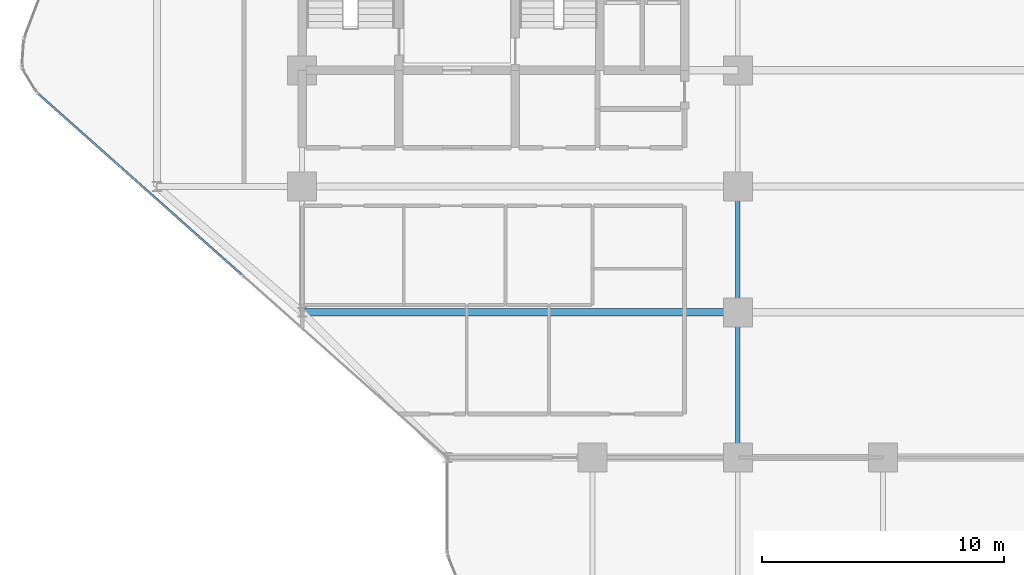
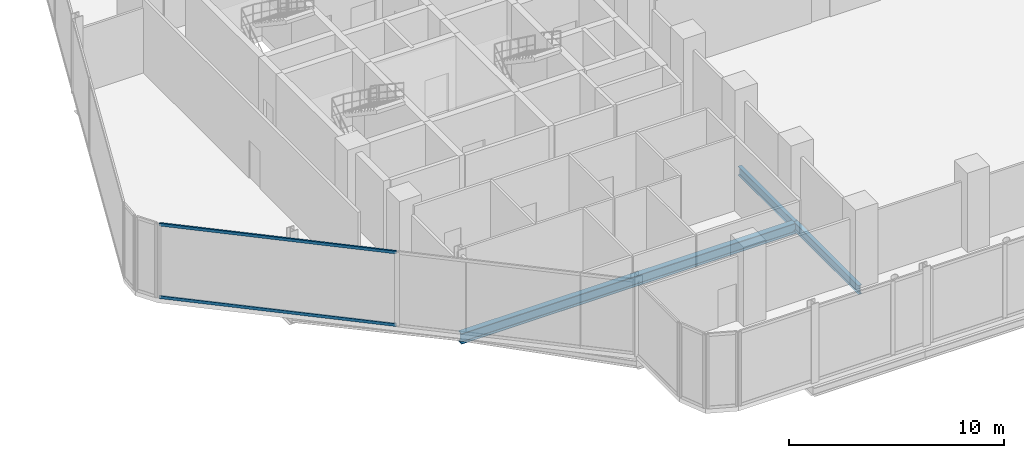
# One storey, part 5 of 30: 3 beams, 2 members, 1 element without a shape of its own.
"""IFC4 building model written with IfcOpenShell, lengths in metres."""

import ifcopenshell
import ifcopenshell.guid

model = None  # the IFC model being written
_history = None  # IfcOwnerHistory: only IFC2X3 demands one
_inside = {}  # id of a spatial element -> (the spatial element, [elements in it])
_under = {}  # id of a project, library or spatial element -> (it, [spatial elements below it])
_declared = {}  # id of a project -> (the project, [libraries it declares])
_typed = {}  # id of a type object -> (the type object, [elements of that type])
_made_of = {}  # id of a material, layer set ... -> (it, [elements and type objects made of it])


def new_model(schema):
    """Start an empty IFC model of exactly this schema.

    Asked for "IFC4X3", IfcOpenShell would pick the latest addendum, in which some entities
    have other attributes; the version numbers below select the first issue.
    IFC2X3 requires an IfcOwnerHistory on every rooted entity: one is made here for all.
    """
    global model, _history
    if schema == "IFC4X3":
        model = ifcopenshell.file(schema_version=(4, 3, 0, 0))
    else:
        model = ifcopenshell.file(schema=schema)
    _inside.clear()
    _under.clear()
    _declared.clear()
    _typed.clear()
    _made_of.clear()
    _history = None
    if model.schema == "IFC2X3":
        org = make("IfcOrganization", Name="unknown")
        user = make(
            "IfcPersonAndOrganization",
            ThePerson=make("IfcPerson", FamilyName="unknown"),
            TheOrganization=org,
        )
        app = make(
            "IfcApplication",
            ApplicationDeveloper=org,
            Version="unknown",
            ApplicationFullName="unknown",
            ApplicationIdentifier="unknown",
        )
        _history = make(
            "IfcOwnerHistory",
            OwningUser=user,
            OwningApplication=app,
            ChangeAction="ADDED",
            CreationDate=0,
        )
    return model


def make(cls, **values):
    """One entity of the class cls with the attributes given. An attribute that is None is left unset."""
    return model.create_entity(
        cls, **{name: value for name, value in values.items() if value is not None}
    )


def rooted(cls, **values):
    """An entity with a GlobalId (a new one), such as an element, a storey or a relation."""
    return make(cls, GlobalId=ifcopenshell.guid.new(), OwnerHistory=_history, **values)


def si_unit(unit_type, name, prefix=None):
    """IfcSIUnit, for example si_unit("LENGTHUNIT", "METRE", prefix="MILLI")."""
    return make("IfcSIUnit", UnitType=unit_type, Prefix=prefix, Name=name)


def assignment(units):
    """IfcUnitAssignment: the units of a project."""
    return None if units is None else make("IfcUnitAssignment", Units=units)


def point(xyz):
    """IfcCartesianPoint."""
    return None if xyz is None else make("IfcCartesianPoint", Coordinates=xyz)


def direction(xyz):
    """IfcDirection."""
    return None if xyz is None else make("IfcDirection", DirectionRatios=xyz)


def frame(location, z_axis=None, x_axis=None):
    """IfcAxis2Placement3D, a coordinate frame: its origin and axes. An axis left out is left unset."""
    return make(
        "IfcAxis2Placement3D",
        Location=point(location),
        Axis=direction(z_axis),
        RefDirection=direction(x_axis),
    )


def frame_2d(location, x_axis=None):
    """IfcAxis2Placement2D, a coordinate frame in the plane: its origin and x axis."""
    return make(
        "IfcAxis2Placement2D", Location=point(location), RefDirection=direction(x_axis)
    )


def origin():
    """The frame at (0, 0, 0) with its axes left unset."""
    return frame((0.0, 0.0, 0.0))


def origin_2d():
    """The frame at (0, 0) in the plane with its x axis left unset."""
    return frame_2d((0.0, 0.0))


def place(relative_to, where):
    """IfcLocalPlacement: puts the frame where relative to a parent placement (None: the world)."""
    return make(
        "IfcLocalPlacement", PlacementRelTo=relative_to, RelativePlacement=where
    )


def context(
    kind, dimensions, precision=None, world=None, true_north=None, identifier=None
):
    """IfcGeometricRepresentationContext, for example the 3D "Model" context."""
    return make(
        "IfcGeometricRepresentationContext",
        ContextIdentifier=identifier,
        ContextType=kind,
        CoordinateSpaceDimension=dimensions,
        Precision=precision,
        WorldCoordinateSystem=world,
        TrueNorth=true_north,
    )


def subcontext(parent, identifier, kind, view, scale=None):
    """IfcGeometricRepresentationSubContext, for example "Body" below "Model"."""
    return make(
        "IfcGeometricRepresentationSubContext",
        ContextIdentifier=identifier,
        ContextType=kind,
        ParentContext=parent,
        TargetScale=scale,
        TargetView=view,
    )


def project(units=None, contexts=None):
    """IfcProject with its units and contexts."""
    return rooted(
        "IfcProject",
        Name="project",
        RepresentationContexts=contexts,
        UnitsInContext=assignment(units),
    )


def spatial(cls, under=None, at=None, **own):
    """A site, building, storey or space (cls), placed at a placement, below another one or the project."""
    s = rooted(cls, ObjectPlacement=at, **own)
    if under is not None:
        _under.setdefault(under.id(), (under, []))[1].append(s)
    return s


def profile(cls, at=None, kind="AREA", **sizes):
    """A parametric profile (cls). Its sizes go by their IFC names, for example OverallWidth=200.0."""
    return make(cls, ProfileType=kind, Position=at, **sizes)


def hollow_rectangle(**sizes):
    """IfcRectangleHollowProfileDef."""
    return profile("IfcRectangleHollowProfileDef", **sizes)


def i_section(**sizes):
    """IfcIShapeProfileDef."""
    return profile("IfcIShapeProfileDef", **sizes)


def extrude(swept, where, along, depth):
    """IfcExtrudedAreaSolid: the profile swept, set in the frame where, extruded along a direction by depth."""
    return make(
        "IfcExtrudedAreaSolid",
        SweptArea=swept,
        Position=where,
        ExtrudedDirection=direction(along),
        Depth=depth,
    )


def shape(context_of_items, identifier, shape_type, items):
    """IfcShapeRepresentation: the items that make up one representation, for example the "Body"."""
    return make(
        "IfcShapeRepresentation",
        ContextOfItems=context_of_items,
        RepresentationIdentifier=identifier,
        RepresentationType=shape_type,
        Items=items,
    )


def material(Name=None, Category=None):
    """IfcMaterial."""
    return make("IfcMaterial", Name=Name, Category=Category)


def layer(
    of_material, thickness, ventilated=None, Name=None, Category=None, Priority=None
):
    """IfcMaterialLayer: one layer of a wall or slab, of a material (None: an air gap)."""
    return make(
        "IfcMaterialLayer",
        Material=of_material,
        LayerThickness=thickness,
        IsVentilated=ventilated,
        Name=Name,
        Category=Category,
        Priority=Priority,
    )


def layer_set(layers, Name=None):
    """IfcMaterialLayerSet."""
    return make("IfcMaterialLayerSet", MaterialLayers=layers, LayerSetName=Name)


def material_profile(
    of_material, cross_section, Name=None, Category=None, Priority=None
):
    """IfcMaterialProfile: a cross section and its material."""
    return make(
        "IfcMaterialProfile",
        Name=Name,
        Material=of_material,
        Profile=cross_section,
        Priority=Priority,
        Category=Category,
    )


def profile_set(profiles, Name=None, composite=None):
    """IfcMaterialProfileSet."""
    return make(
        "IfcMaterialProfileSet",
        Name=Name,
        MaterialProfiles=profiles,
        CompositeProfile=composite,
    )


def made_of(thing, what):
    """Note that an element or type object is made of a material, layer set ...; save() writes the relation."""
    if what is not None:
        _made_of.setdefault(what.id(), (what, []))[1].append(thing)
    return thing


def type_object(cls, material=None, **own):
    """A type object (cls), such as IfcWallType, which elements share."""
    return made_of(rooted(cls, **own), material)


def element(
    cls,
    number,
    at=None,
    inside=None,
    cuts=None,
    type_object=None,
    material=None,
    context=None,
    identifier="Body",
    shape_type=None,
    held_by="IfcProductDefinitionShape",
    body=None,
    shapes=None,
    **own,
):
    """One element of the class cls, such as IfcWall. Its Tag is "e" and its number.

    at: its placement. inside: the storey or other place that contains it. cuts: it is an
    opening in that element (IfcRelVoidsElement). A single representation is given by context,
    identifier, shape_type and body (its items); several are given by shapes. held_by: the class
    of the entity that holds the representations. save() writes the other relations.
    """
    e = rooted(cls, Tag="e%d" % number, ObjectPlacement=at, **own)
    if body is not None:
        shapes = [shape(context, identifier, shape_type, body)]
    if shapes is not None:
        e.Representation = make(held_by, Representations=shapes)
    if inside is not None:
        _inside.setdefault(inside.id(), (inside, []))[1].append(e)
    if cuts is not None:
        rooted(
            "IfcRelVoidsElement", RelatingBuildingElement=cuts, RelatedOpeningElement=e
        )
    if type_object is not None:
        _typed.setdefault(type_object.id(), (type_object, []))[1].append(e)
    return made_of(e, material)


def aggregate(whole, parts):
    """IfcRelAggregates: a whole, such as a stair, and the parts it consists of."""
    return rooted("IfcRelAggregates", RelatingObject=whole, RelatedObjects=parts)


def save(model, path):
    """Write the relations noted so far, then the file.

    IfcRelAggregates (storeys below a building ...), IfcRelContainedInSpatialStructure (elements
    in a storey), IfcRelDefinesByType, IfcRelAssociatesMaterial and IfcRelDeclares: one each for
    every whole, place, type object, material and project.
    """
    for whole, parts in _under.values():
        aggregate(whole, parts)
    for where, things in _inside.values():
        rooted(
            "IfcRelContainedInSpatialStructure",
            RelatedElements=things,
            RelatingStructure=where,
        )
    for kind, things in _typed.values():
        rooted("IfcRelDefinesByType", RelatedObjects=things, RelatingType=kind)
    for what, things in _made_of.values():
        rooted("IfcRelAssociatesMaterial", RelatedObjects=things, RelatingMaterial=what)
    for by, libraries in _declared.values():
        rooted("IfcRelDeclares", RelatingContext=by, RelatedDefinitions=libraries)
    model.write(path)


model = new_model("IFC4")

# Units and contexts
model_context = context("Model", 3, precision=1e-05, world=origin(), true_north=direction((0.0, 1.0)))
body_context = subcontext(model_context, "Body", "Model", "MODEL_VIEW")
ifc_project = project(units=[si_unit("LENGTHUNIT", "METRE"), si_unit("AREAUNIT", "SQUARE_METRE"), si_unit("VOLUMEUNIT", "CUBIC_METRE"), si_unit("PLANEANGLEUNIT", "RADIAN"), si_unit("MASSUNIT", "GRAM", prefix="KILO")], contexts=[model_context])

# Site, building, storey
site_placement = place(None, origin())
site = spatial("IfcSite", under=ifc_project, at=site_placement, CompositionType="ELEMENT")
building_placement = place(site_placement, origin())
building = spatial("IfcBuilding", under=site, at=building_placement, Name="Keshet Zoharim Tower", CompositionType="ELEMENT")
storey_placement = place(building_placement, frame((0.0, 0.0, 65.60009765625)))
storey = spatial("IfcBuildingStorey", under=building, at=storey_placement, Name="L15", CompositionType="ELEMENT", Elevation=65.60009765625)

# Beams
ifc_material_1 = material(Name="Steel S355", Category="steel")
ifc_material_profile_1 = material_profile(ifc_material_1, i_section(OverallWidth=0.300048828125, OverallDepth=0.60009765625, WebThickness=0.015380859375, FlangeThickness=0.030029296875, FilletRadius=0.027099609375, at=origin_2d()), Name="HEB600")
ifc_profile_set_1 = profile_set([ifc_material_profile_1], Name="Steel S355")
beam_type_1 = type_object("IfcBeamType", Name="BM-LNG-HB600", PredefinedType="BEAM", material=ifc_profile_set_1)
beam_1_placement = place(storey_placement, frame((15.0, 12.699951171875, -0.6201171875), z_axis=(1.0, 0.0, 0.0), x_axis=(0.0, 1.0, 0.0)))
element("IfcBeam", 1, at=beam_1_placement, inside=storey, type_object=beam_type_1, Name="L15 Primary Girder X-010", PredefinedType="BEAM", context=body_context, shape_type="SweptSolid", body=[
    extrude(i_section(OverallWidth=0.300048828125, OverallDepth=0.60009765625, WebThickness=0.015380859375, FlangeThickness=0.030029296875, FilletRadius=0.027099609375, at=origin_2d()), origin(), (0.0, 0.0, 1.0), 18.0),
])
ifc_material_profile_2 = material_profile(ifc_material_1, i_section(OverallWidth=0.199951171875, OverallDepth=0.5, WebThickness=0.01025390625, FlangeThickness=0.01611328125, FilletRadius=0.02099609375, at=origin_2d()), Name="IPE500")
ifc_profile_set_2 = profile_set([ifc_material_profile_2], Name="Steel S355")
beam_type_2 = type_object("IfcBeamType", Name="BM-PRI-IP500", PredefinedType="BEAM", material=ifc_profile_set_2)
beam_2_placement = place(storey_placement, frame((33.0, 6.699951171875, -0.570068359375), z_axis=(0.0, 1.0, 0.0), x_axis=(-1.0, 0.0, 0.0)))
element("IfcBeam", 2, at=beam_2_placement, inside=storey, type_object=beam_type_2, Name="L15 Primary Girder Y-006", PredefinedType="BEAM", context=body_context, shape_type="SweptSolid", body=[
    extrude(i_section(OverallWidth=0.199951171875, OverallDepth=0.5, WebThickness=0.01025390625, FlangeThickness=0.01611328125, FilletRadius=0.02099609375, at=origin_2d()), origin(), (0.0, 0.0, 1.0), 6.0),
])
beam_3_placement = place(storey_placement, frame((33.0, 12.699951171875, -0.570068359375), z_axis=(0.0, 1.0, 0.0), x_axis=(-1.0, 0.0, 0.0)))
element("IfcBeam", 3, at=beam_3_placement, inside=storey, type_object=beam_type_2, Name="L15 Primary Girder Y-007", PredefinedType="BEAM", context=body_context, shape_type="SweptSolid", body=[
    extrude(i_section(OverallWidth=0.199951171875, OverallDepth=0.5, WebThickness=0.01025390625, FlangeThickness=0.01611328125, FilletRadius=0.02099609375, at=origin_2d()), origin(), (0.0, 0.0, 1.0), 5.199951171875),
])

# Curtain wall, members
ifc_material_2 = material(Name="Aluminium 6063-T6", Category="aluminium")
ifc_layer = layer(ifc_material_2, 0.179931640625)
ifc_layer_set = layer_set([ifc_layer], Name="Aluminium 6063-T6")
curtain_wall_type = type_object("IfcCurtainWallType", Name="CW-SYS-01", PredefinedType="NOTDEFINED", material=ifc_layer_set)
curtain_wall_placement = place(storey_placement, origin())
curtain_wall = element("IfcCurtainWall", 4, at=curtain_wall_placement, inside=storey, type_object=curtain_wall_type, Name="L15 Unitised Curtain Wall 23", PredefinedType="NOTDEFINED")
ifc_material_profile_3 = material_profile(ifc_material_2, hollow_rectangle(XDim=0.0849609375, YDim=0.159912109375, WallThickness=0.00439453125, at=origin_2d()), Name="TRN-85x160")
ifc_profile_set_3 = profile_set([ifc_material_profile_3], Name="Aluminium 6063-T6")
member_type = type_object("IfcMemberType", Name="CWT-T16", PredefinedType="USERDEFINED", material=ifc_profile_set_3)
member_1_placement = place(storey_placement, frame((12.491455078125, 14.26318359375, 0.034912109375), z_axis=(-0.747411714548, 0.664361143472, 0.0), x_axis=(-0.664361143472, -0.747411714548, 0.0)))
member_1 = element("IfcMember", 5, at=member_1_placement, type_object=member_type, Name="CW-01 transom 2.1", ObjectType="TRANSOM", PredefinedType="USERDEFINED", context=body_context, shape_type="SweptSolid", body=[
    extrude(hollow_rectangle(XDim=0.0849609375, YDim=0.159912109375, WallThickness=0.00439453125, at=origin_2d()), origin(), (0.0, 0.0, 1.0), 11.244140625),
])
member_2_placement = place(storey_placement, frame((12.491455078125, 14.26318359375, 4.14990234375), z_axis=(-0.747411714548, 0.664361143472, 0.0), x_axis=(-0.664361143472, -0.747411714548, 0.0)))
member_2 = element("IfcMember", 6, at=member_2_placement, type_object=member_type, Name="CW-01 transom 2.2", ObjectType="TRANSOM", PredefinedType="USERDEFINED", context=body_context, shape_type="SweptSolid", body=[
    extrude(hollow_rectangle(XDim=0.0849609375, YDim=0.159912109375, WallThickness=0.00439453125, at=origin_2d()), origin(), (0.0, 0.0, 1.0), 11.244140625),
])
aggregate(curtain_wall, [member_1, member_2])

save(model, "model.ifc")
